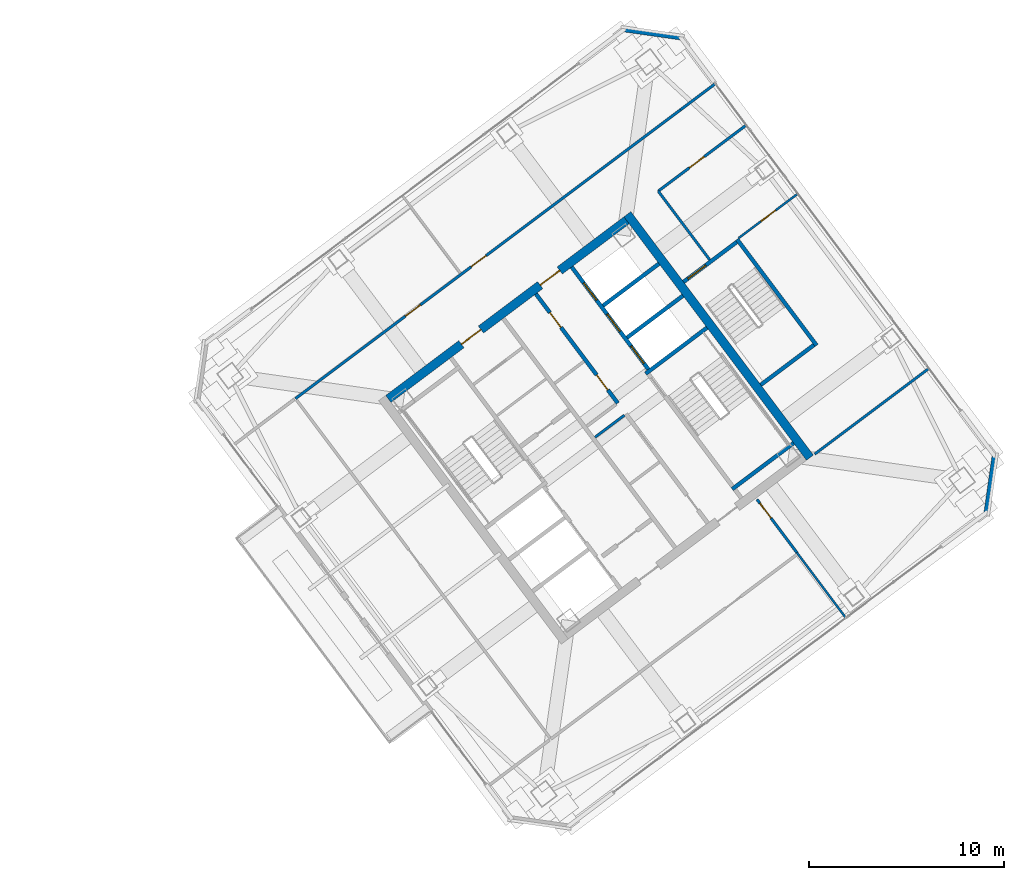
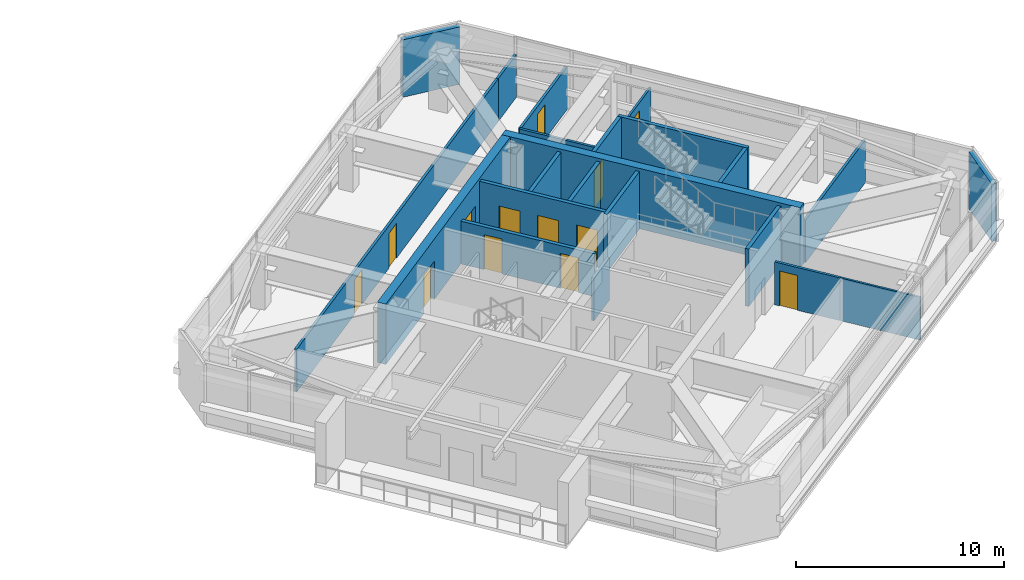
# One storey, part 33 of 40: 22 walls, 13 doors, 13 openings.
"""IFC4 building model written with IfcOpenShell, lengths in metres."""

from ifc_helpers import new_model, si_unit, direction, frame, frame_2d, origin, place, context, subcontext, project, spatial, rectangle, extrude, material, layer, layer_set, type_object, element, fill, save


model = new_model("IFC4")

# Units and contexts
model_context = context("Model", 3, precision=1e-05, world=origin(), true_north=direction((0.0, 1.0)))
body_context = subcontext(model_context, "Body", "Model", "MODEL_VIEW")
ifc_project = project(units=[si_unit("LENGTHUNIT", "METRE"), si_unit("AREAUNIT", "SQUARE_METRE"), si_unit("VOLUMEUNIT", "CUBIC_METRE"), si_unit("PLANEANGLEUNIT", "RADIAN"), si_unit("MASSUNIT", "GRAM", prefix="KILO")], contexts=[model_context])

# Site, building, storey
site_placement = place(None, origin())
site = spatial("IfcSite", under=ifc_project, at=site_placement, CompositionType="ELEMENT")
building_placement = place(site_placement, origin())
building = spatial("IfcBuilding", under=site, at=building_placement, Name="Tashvorn Skyway Center", CompositionType="ELEMENT")
storey_placement = place(building_placement, frame((0.0, 0.0, 229.050048828125)))
storey = spatial("IfcBuildingStorey", under=building, at=storey_placement, Name="L62", CompositionType="ELEMENT", Elevation=229.050048828125)

# Wall
ifc_material_1 = material(Name="Concrete C50/60", Category="concrete")
ifc_layer_1 = layer(ifc_material_1, 0.449951171875)
ifc_layer_set_1 = layer_set([ifc_layer_1], Name="Concrete C50/60")
wall_type_1 = type_object("IfcWallType", Name="WALL-CORE-450", PredefinedType="SHEAR", material=ifc_layer_set_1)
wall_1_placement = place(storey_placement, frame((115.60400390625, 42.952880859375, 0.0), z_axis=(0.0, 0.0, 1.0), x_axis=(0.600005007985, -0.799996243986, 0.0)))
element("IfcWall", 1, at=wall_1_placement, inside=storey, type_object=wall_type_1, Name="Tower 2 L62 East Core Shear Wall", PredefinedType="SHEAR", context=body_context, shape_type="SweptSolid", body=[
    extrude(rectangle(XDim=15.60009765625, YDim=0.449951171875, at=frame_2d((7.800048828125, 0.0))), origin(), (0.0, 0.0, 1.0), 3.550048828125),
])

# Wall, openings, doors
wall_2_placement = place(storey_placement, frame((103.35107421875, 33.48193359375, 0.0), z_axis=(0.0, 0.0, 1.0), x_axis=(0.8, 0.6, 0.0)))
wall_2 = element("IfcWall", 2, at=wall_2_placement, inside=storey, type_object=wall_type_1, Name="Tower 2 L62 North Core Shear Wall", PredefinedType="SHEAR", context=body_context, shape_type="SweptSolid", body=[
    extrude(rectangle(XDim=15.260009765625, YDim=0.449951171875, at=frame_2d((7.6298828125, 0.0))), origin(), (0.0, 0.0, 1.0), 3.550048828125),
])
opening_1_placement = place(wall_2_placement, frame((4.679931640625, 0.0, 0.0)))
opening_1 = element("IfcOpeningElement", 3, at=opening_1_placement, cuts=wall_2, Name="Opening D-FFL-1250", PredefinedType="OPENING", context=body_context, shape_type="SweptSolid", body=[
    extrude(rectangle(XDim=1.25, YDim=2.25, at=frame_2d((0.625, 1.125))), frame((0.0, 0.23486328125, 0.0), z_axis=(0.0, -1.0, 0.0), x_axis=(1.0, 0.0, 0.0)), (0.0, 0.0, 1.0), 0.469970703125),
])
opening_2_placement = place(wall_2_placement, frame((9.72998046875, 0.0, 0.0)))
opening_2 = element("IfcOpeningElement", 4, at=opening_2_placement, cuts=wall_2, Name="Opening D-FFL-1250", PredefinedType="OPENING", context=body_context, shape_type="SweptSolid", body=[
    extrude(rectangle(XDim=1.25, YDim=2.25, at=frame_2d((0.625, 1.125))), frame((0.0, 0.23486328125, 0.0), z_axis=(0.0, -1.0, 0.0), x_axis=(1.0, 0.0, 0.0)), (0.0, 0.0, 1.0), 0.469970703125),
])
ifc_material_2 = material(Name="Hollow galvanized steel fire door assembly", Category="steel")
door_type_1 = type_object("IfcDoorType", Name="DOOR-FFL-1250", OperationType="NOTDEFINED", PredefinedType="DOOR", material=ifc_material_2)
door_1_placement = place(opening_1_placement, origin())
door_1 = element("IfcDoor", 5, at=door_1_placement, inside=storey, type_object=door_type_1, Name="Tower 2 L62 Core North Service Lobby Door", OperationType="SINGLE_SWING_LEFT", OverallHeight=2.25, OverallWidth=1.25, PredefinedType="DOOR", context=body_context, shape_type="SweptSolid", body=[
    extrude(rectangle(XDim=1.25, YDim=2.25, at=frame_2d((0.625, 1.125))), frame((0.0, 0.02490234375, 0.0), z_axis=(0.0, -1.0, 0.0), x_axis=(1.0, 0.0, 0.0)), (0.0, 0.0, 1.0), 0.050048828125),
])
fill(opening_1, door_1)
door_2_placement = place(opening_2_placement, origin())
door_2 = element("IfcDoor", 6, at=door_2_placement, inside=storey, type_object=door_type_1, Name="Tower 2 L62 Core North Lift Lobby Door", OperationType="SINGLE_SWING_RIGHT", OverallHeight=2.25, OverallWidth=1.25, PredefinedType="DOOR", context=body_context, shape_type="SweptSolid", body=[
    extrude(rectangle(XDim=1.25, YDim=2.25, at=frame_2d((0.625, 1.125))), frame((0.0, 0.02490234375, 0.0), z_axis=(0.0, -1.0, 0.0), x_axis=(1.0, 0.0, 0.0)), (0.0, 0.0, 1.0), 0.050048828125),
])
fill(opening_2, door_2)

# Walls
ifc_material_3 = material(Name="Precast concrete C40/50", Category="concrete")
ifc_layer_2 = layer(ifc_material_3, 0.280029296875)
ifc_layer_set_2 = layer_set([ifc_layer_2], Name="Precast concrete C40/50")
wall_type_2 = type_object("IfcWallType", Name="WALL-EXT-280", PredefinedType="SOLIDWALL", material=ifc_layer_set_2)
for number, where, z_axis, x_axis, name in (
    (7, (115.419921875, 52.43994140625, 0.0), (0.0, 0.0, 1.0), (0.989954425158, -0.14138683146, 0.0), "Tower 2 L62 NE Precast Chamfer Wall"),
    (8, (134.43994140625, 30.580078125, 0.0), (0.0, 0.0, 1.0), (-0.14138683146, -0.989954425158, 0.0), "Tower 2 L62 SE Precast Chamfer Wall"),
):
    element("IfcWall", number, at=place(storey_placement, frame(where, z_axis=z_axis, x_axis=x_axis)), inside=storey, type_object=wall_type_2, Name=name, PredefinedType="SOLIDWALL", context=body_context, shape_type="SweptSolid", body=[
        extrude(rectangle(XDim=2.969970703125, YDim=0.280029296875, at=frame_2d((1.48486328125, 0.0))), origin(), (0.0, 0.0, 1.0), 3.369873046875),
    ])
ifc_material_4 = material(Name="Gypsum board on cold-formed steel stud framing", Category="steel")
ifc_layer_3 = layer(ifc_material_4, 0.110107421875)
ifc_layer_set_3 = layer_set([ifc_layer_3], Name="Gypsum board on cold-formed steel stud framing")
wall_type_3 = type_object("IfcWallType", Name="WALL-PART-110", PredefinedType="PARTITIONING", material=ifc_layer_set_3)
wall_3_placement = place(storey_placement, frame((126.80810546875, 22.256103515625, 0.0), z_axis=(0.0, 0.0, 1.0), x_axis=(-0.600046613595, 0.799965037682, 0.0)))
element("IfcWall", 9, at=wall_3_placement, inside=storey, type_object=wall_type_3, Name="Tower 2 L62 South-East Suite Wall", PredefinedType="PARTITIONING", context=body_context, shape_type="SweptSolid", body=[
    extrude(rectangle(XDim=4.18994140625, YDim=0.110107421875, at=frame_2d((2.094970703125, 0.0))), origin(), (0.0, 0.0, 1.0), 2.512939453125),
])

# Wall, opening, door
wall_4_placement = place(storey_placement, frame((124.343994140625, 44.008056640625, 0.0), z_axis=(0.0, 0.0, 1.0), x_axis=(-0.8, -0.6, 0.0)))
wall_4 = element("IfcWall", 10, at=wall_4_placement, inside=storey, type_object=wall_type_3, Name="Tower 2 L62 East Suite Partition 1", PredefinedType="PARTITIONING", context=body_context, shape_type="SweptSolid", body=[
    extrude(rectangle(XDim=3.800048828125, YDim=0.110107421875, at=frame_2d((1.89990234375, 0.0))), origin(), (0.0, 0.0, 1.0), 2.512939453125),
])
opening_3_placement = place(wall_4_placement, frame((1.425048828125, 0.0, 0.0)))
opening_3 = element("IfcOpeningElement", 11, at=opening_3_placement, cuts=wall_4, Name="Opening D-INT-950", PredefinedType="OPENING", context=body_context, shape_type="SweptSolid", body=[
    extrude(rectangle(XDim=0.949951171875, YDim=2.050048828125, at=frame_2d((0.47509765625, 1.02490234375))), frame((0.0, 0.06494140625, 0.0), z_axis=(0.0, -1.0, 0.0), x_axis=(1.0, 0.0, 0.0)), (0.0, 0.0, 1.0), 0.130126953125),
])
ifc_material_5 = material(Name="Solid-core architectural oak veneer door")
door_type_2 = type_object("IfcDoorType", Name="DOOR-INT-950", OperationType="NOTDEFINED", PredefinedType="DOOR", material=ifc_material_5)
door_3_placement = place(opening_3_placement, origin())
door_3 = element("IfcDoor", 12, at=door_3_placement, inside=storey, type_object=door_type_2, Name="Tower 2 L62 Collaborative Studio Door", OperationType="SINGLE_SWING_LEFT", OverallHeight=2.050048828125, OverallWidth=0.949951171875, PredefinedType="DOOR", context=body_context, shape_type="SweptSolid", body=[
    extrude(rectangle(XDim=0.949951171875, YDim=2.050048828125, at=frame_2d((0.47509765625, 1.02490234375))), frame((0.0, 0.02490234375, 0.0), z_axis=(0.0, -1.0, 0.0), x_axis=(1.0, 0.0, 0.0)), (0.0, 0.0, 1.0), 0.050048828125),
])
fill(opening_3, door_3)

# Wall
ifc_layer_4 = layer(ifc_material_4, 0.135009765625)
ifc_layer_set_4 = layer_set([ifc_layer_4], Name="Gypsum board on cold-formed steel stud framing")
wall_type_4 = type_object("IfcWallType", Name="WALL-PART-135", PredefinedType="PARTITIONING", material=ifc_layer_set_4)
wall_5_placement = place(storey_placement, frame((119.823974609375, 40.617919921875, 0.0), z_axis=(0.0, 0.0, 1.0), x_axis=(-0.599982243973, 0.800013316712, 0.0)))
element("IfcWall", 13, at=wall_5_placement, inside=storey, type_object=wall_type_4, Name="Tower 2 L62 Stair 3 Access Corridor Wall", PredefinedType="PARTITIONING", context=body_context, shape_type="SweptSolid", body=[
    extrude(rectangle(XDim=4.39990234375, YDim=0.135009765625, at=frame_2d((2.199951171875, 0.0))), origin(), (0.0, 0.0, 1.0), 2.512939453125),
])

# Wall, openings, doors
wall_6_placement = place(storey_placement, frame((98.5859375, 33.501953125, 0.0), z_axis=(0.0, 0.0, 1.0), x_axis=(0.8, 0.6, 0.0)))
wall_6 = element("IfcWall", 14, at=wall_6_placement, inside=storey, type_object=wall_type_4, Name="Tower 2 L62 North Suite Wall", PredefinedType="PARTITIONING", context=body_context, shape_type="SweptSolid", body=[
    extrude(rectangle(XDim=24.68017578125, YDim=0.135009765625, at=frame_2d((12.340087890625, 0.0))), origin(), (0.0, 0.0, 1.0), 2.512939453125),
])
opening_4_placement = place(wall_6_placement, frame((7.050048828125, 0.0, 0.0)))
opening_4 = element("IfcOpeningElement", 15, at=opening_4_placement, cuts=wall_6, Name="Opening D-INT-950", PredefinedType="OPENING", context=body_context, shape_type="SweptSolid", body=[
    extrude(rectangle(XDim=0.949951171875, YDim=2.050048828125, at=frame_2d((0.47509765625, 1.02490234375))), frame((0.0, 0.077392578125, 0.0), z_axis=(0.0, -1.0, 0.0), x_axis=(1.0, 0.0, 0.0)), (0.0, 0.0, 1.0), 0.155029296875),
])
opening_5_placement = place(wall_6_placement, frame((11.263427734375, 0.0, 0.0)))
opening_5 = element("IfcOpeningElement", 16, at=opening_5_placement, cuts=wall_6, Name="Opening D-INT-950", PredefinedType="OPENING", context=body_context, shape_type="SweptSolid", body=[
    extrude(rectangle(XDim=0.949951171875, YDim=2.050048828125, at=frame_2d((0.47509765625, 1.02490234375))), frame((0.0, 0.077392578125, 0.0), z_axis=(0.0, -1.0, 0.0), x_axis=(1.0, 0.0, 0.0)), (0.0, 0.0, 1.0), 0.155029296875),
])
door_4_placement = place(opening_4_placement, origin())
door_4 = element("IfcDoor", 17, at=door_4_placement, inside=storey, type_object=door_type_2, Name="Tower 2 L62 Gallery Showroom Door", OperationType="SINGLE_SWING_RIGHT", OverallHeight=2.050048828125, OverallWidth=0.949951171875, PredefinedType="DOOR", context=body_context, shape_type="SweptSolid", body=[
    extrude(rectangle(XDim=0.949951171875, YDim=2.050048828125, at=frame_2d((0.47509765625, 1.02490234375))), frame((0.0, 0.02490234375, 0.0), z_axis=(0.0, -1.0, 0.0), x_axis=(1.0, 0.0, 0.0)), (0.0, 0.0, 1.0), 0.050048828125),
])
fill(opening_4, door_4)
door_5_placement = place(opening_5_placement, origin())
door_5 = element("IfcDoor", 18, at=door_5_placement, inside=storey, type_object=door_type_2, Name="Tower 2 L62 Gallery Showroom Door", OperationType="SINGLE_SWING_LEFT", OverallHeight=2.050048828125, OverallWidth=0.949951171875, PredefinedType="DOOR", context=body_context, shape_type="SweptSolid", body=[
    extrude(rectangle(XDim=0.949951171875, YDim=2.050048828125, at=frame_2d((0.47509765625, 1.02490234375))), frame((0.0, 0.02490234375, 0.0), z_axis=(0.0, -1.0, 0.0), x_axis=(1.0, 0.0, 0.0)), (0.0, 0.0, 1.0), 0.050048828125),
])
fill(opening_5, door_5)

# Wall
wall_7_placement = place(storey_placement, frame((118.330078125, 48.31005859375, 0.0), z_axis=(0.0, 0.0, 1.0), x_axis=(0.800013138111, 0.599982482119, 0.0)))
element("IfcWall", 19, at=wall_7_placement, inside=storey, type_object=wall_type_4, Name="Tower 2 L62 North-East Suite South Wall", PredefinedType="PARTITIONING", context=body_context, shape_type="SweptSolid", body=[
    extrude(rectangle(XDim=2.22998046875, YDim=0.135009765625, at=frame_2d((1.114990234375, 0.0))), origin(), (0.0, 0.0, 1.0), 2.512939453125),
])

# Wall, opening, door
wall_8_placement = place(storey_placement, frame((122.248046875, 28.3359375, 0.0), z_axis=(0.0, 0.0, 1.0), x_axis=(0.599977088934, -0.800017182787, 0.0)))
wall_8 = element("IfcWall", 20, at=wall_8_placement, inside=storey, type_object=wall_type_4, Name="Tower 2 L62 South Gallery End Wall", PredefinedType="PARTITIONING", context=body_context, shape_type="SweptSolid", body=[
    extrude(rectangle(XDim=3.409912109375, YDim=0.135009765625, at=frame_2d((1.705078125, 0.0))), origin(), (0.0, 0.0, 1.0), 2.512939453125),
])
opening_6_placement = place(wall_8_placement, frame((0.25, 0.0, 0.0)))
opening_6 = element("IfcOpeningElement", 21, at=opening_6_placement, cuts=wall_8, Name="Opening D-INT-950", PredefinedType="OPENING", context=body_context, shape_type="SweptSolid", body=[
    extrude(rectangle(XDim=0.949951171875, YDim=2.050048828125, at=frame_2d((0.47509765625, 1.02490234375))), frame((0.0, 0.077392578125, 0.0), z_axis=(0.0, -1.0, 0.0), x_axis=(1.0, 0.0, 0.0)), (0.0, 0.0, 1.0), 0.155029296875),
])
door_6_placement = place(opening_6_placement, origin())
door_6 = element("IfcDoor", 22, at=door_6_placement, inside=storey, type_object=door_type_2, Name="Tower 2 L62 Conference Room Door", OperationType="SINGLE_SWING_LEFT", OverallHeight=2.050048828125, OverallWidth=0.949951171875, PredefinedType="DOOR", context=body_context, shape_type="SweptSolid", body=[
    extrude(rectangle(XDim=0.949951171875, YDim=2.050048828125, at=frame_2d((0.47509765625, 1.02490234375))), frame((0.0, 0.02490234375, 0.0), z_axis=(0.0, -1.0, 0.0), x_axis=(1.0, 0.0, 0.0)), (0.0, 0.0, 1.0), 0.050048828125),
])
fill(opening_6, door_6)

wall_9_placement = place(storey_placement, frame((121.7041015625, 47.528076171875, 0.0), z_axis=(0.0, 0.0, 1.0), x_axis=(-0.799989629485, -0.600013827105, 0.0)))
wall_9 = element("IfcWall", 23, at=wall_9_placement, inside=storey, type_object=wall_type_4, Name="Tower 2 L62 East Suite North Wall", PredefinedType="PARTITIONING", context=body_context, shape_type="SweptSolid", body=[
    extrude(rectangle(XDim=5.650146484375, YDim=0.135009765625, at=frame_2d((2.8251953125, 0.0))), origin(), (0.0, 0.0, 1.0), 2.512939453125),
])
opening_7_placement = place(wall_9_placement, frame((2.699951171875, 0.0, 0.0)))
opening_7 = element("IfcOpeningElement", 24, at=opening_7_placement, cuts=wall_9, Name="Opening D-INT-950", PredefinedType="OPENING", context=body_context, shape_type="SweptSolid", body=[
    extrude(rectangle(XDim=0.949951171875, YDim=2.050048828125, at=frame_2d((0.47509765625, 1.02490234375))), frame((0.0, 0.077392578125, 0.0), z_axis=(0.0, -1.0, 0.0), x_axis=(1.0, 0.0, 0.0)), (0.0, 0.0, 1.0), 0.155029296875),
])
door_7_placement = place(opening_7_placement, origin())
door_7 = element("IfcDoor", 25, at=door_7_placement, inside=storey, type_object=door_type_2, Name="Tower 2 L62 Conference Room Door", OperationType="SINGLE_SWING_RIGHT", OverallHeight=2.050048828125, OverallWidth=0.949951171875, PredefinedType="DOOR", context=body_context, shape_type="SweptSolid", body=[
    extrude(rectangle(XDim=0.949951171875, YDim=2.050048828125, at=frame_2d((0.47509765625, 1.02490234375))), frame((0.0, 0.02490234375, 0.0), z_axis=(0.0, -1.0, 0.0), x_axis=(1.0, 0.0, 0.0)), (0.0, 0.0, 1.0), 0.050048828125),
])
fill(opening_7, door_7)

# Walls
wall_10_placement = place(storey_placement, frame((125.2080078125, 30.656005859375, 0.0), z_axis=(0.0, 0.0, 1.0), x_axis=(0.79999199534, 0.600010672732, 0.0)))
element("IfcWall", 26, at=wall_10_placement, inside=storey, type_object=wall_type_4, Name="Tower 2 L62 East Suite South Wall", PredefinedType="PARTITIONING", context=body_context, shape_type="SweptSolid", body=[
    extrude(rectangle(XDim=7.320068359375, YDim=0.135009765625, at=frame_2d((3.66015625, 0.0))), origin(), (0.0, 0.0, 1.0), 2.512939453125),
])
ifc_layer_5 = layer(ifc_material_4, 0.135009765625)
ifc_layer_set_5 = layer_set([ifc_layer_5], Name="Gypsum board on cold-formed steel stud framing")
wall_type_5 = type_object("IfcWallType", Name="WALL-RATED-135", PredefinedType="PARTITIONING", material=ifc_layer_set_5)
wall_11_placement = place(storey_placement, frame((113.946044921875, 31.52197265625, 0.0), z_axis=(0.0, 0.0, 1.0), x_axis=(0.8, 0.6, 0.0)))
element("IfcWall", 27, at=wall_11_placement, inside=storey, type_object=wall_type_5, Name="Tower 2 L62 Core Room Partition", PredefinedType="PARTITIONING", context=body_context, shape_type="SweptSolid", body=[
    extrude(rectangle(XDim=1.8798828125, YDim=0.135009765625, at=frame_2d((0.93994140625, 0.0))), origin(), (0.0, 0.0, 1.0), 2.512939453125),
])
ifc_material_6 = material(Name="Concrete C40/50", Category="concrete")
ifc_layer_6 = layer(ifc_material_6, 0.199951171875)
ifc_layer_set_6 = layer_set([ifc_layer_6], Name="Concrete C40/50")
wall_type_6 = type_object("IfcWallType", Name="WALL-SHAFT-200", PredefinedType="SOLIDWALL", material=ifc_layer_set_6)
for number, where, z_axis, x_axis, name in (
    (28, (115.590087890625, 36.6298828125, 0.0), (0.0, 0.0, 1.0), (0.799975449747, 0.600032732276, 0.0), "Tower 2 L62 High-Rise Shaft Divider"),
    (29, (114.360107421875, 38.27001953125, 0.0), (0.0, 0.0, 1.0), (0.800008183455, 0.599989088572, 0.0), "Tower 2 L62 High-Rise Shaft Divider"),
):
    element("IfcWall", number, at=place(storey_placement, frame(where, z_axis=z_axis, x_axis=x_axis)), inside=storey, type_object=wall_type_6, Name=name, PredefinedType="SOLIDWALL", context=body_context, shape_type="SweptSolid", body=[
        extrude(rectangle(XDim=3.580078125, YDim=0.199951171875, at=frame_2d((1.7900390625, 0.0))), origin(), (0.0, 0.0, 1.0), 3.369873046875),
    ])

# Wall, openings, doors
wall_12_placement = place(storey_placement, frame((115.110107421875, 33.27001953125, 0.0), z_axis=(0.0, 0.0, 1.0), x_axis=(-0.600011160345, 0.79999162962, 0.0)))
wall_12 = element("IfcWall", 30, at=wall_12_placement, inside=storey, type_object=wall_type_6, Name="Tower 2 L62 Mid-Rise Core Wall", PredefinedType="SOLIDWALL", context=body_context, shape_type="SweptSolid", body=[
    extrude(rectangle(XDim=7.000244140625, YDim=0.199951171875, at=frame_2d((3.5, 0.0))), origin(), (0.0, 0.0, 1.0), 2.512939453125),
])
opening_8_placement = place(wall_12_placement, frame((0.85009765625, 0.0, 0.0)))
opening_8 = element("IfcOpeningElement", 31, at=opening_8_placement, cuts=wall_12, Name="Opening D-RT-950", PredefinedType="OPENING", context=body_context, shape_type="SweptSolid", body=[
    extrude(rectangle(XDim=0.949951171875, YDim=2.050048828125, at=frame_2d((0.47509765625, 1.02490234375))), frame((0.0, 0.10986328125, 0.0), z_axis=(0.0, -1.0, 0.0), x_axis=(1.0, 0.0, 0.0)), (0.0, 0.0, 1.0), 0.219970703125),
])
opening_9_placement = place(wall_12_placement, frame((4.85009765625, 0.0, 0.0)))
opening_9 = element("IfcOpeningElement", 32, at=opening_9_placement, cuts=wall_12, Name="Opening D-RT-950", PredefinedType="OPENING", context=body_context, shape_type="SweptSolid", body=[
    extrude(rectangle(XDim=0.949951171875, YDim=2.050048828125, at=frame_2d((0.47509765625, 1.02490234375))), frame((0.0, 0.10986328125, 0.0), z_axis=(0.0, -1.0, 0.0), x_axis=(1.0, 0.0, 0.0)), (0.0, 0.0, 1.0), 0.219970703125),
])
door_type_3 = type_object("IfcDoorType", Name="DOOR-RATED-950", OperationType="NOTDEFINED", PredefinedType="DOOR", material=ifc_material_2)
door_8_placement = place(opening_8_placement, origin())
door_8 = element("IfcDoor", 33, at=door_8_placement, inside=storey, type_object=door_type_3, Name="Tower 2 L62 Core IT Room Door", OperationType="SINGLE_SWING_RIGHT", OverallHeight=2.050048828125, OverallWidth=0.949951171875, PredefinedType="DOOR", context=body_context, shape_type="SweptSolid", body=[
    extrude(rectangle(XDim=0.949951171875, YDim=2.050048828125, at=frame_2d((0.47509765625, 1.02490234375))), frame((0.0, 0.02490234375, 0.0), z_axis=(0.0, -1.0, 0.0), x_axis=(1.0, 0.0, 0.0)), (0.0, 0.0, 1.0), 0.050048828125),
])
fill(opening_8, door_8)
door_9_placement = place(opening_9_placement, origin())
door_9 = element("IfcDoor", 34, at=door_9_placement, inside=storey, type_object=door_type_3, Name="Tower 2 L62 Core Catering Pantry Door", OperationType="SINGLE_SWING_LEFT", OverallHeight=2.050048828125, OverallWidth=0.949951171875, PredefinedType="DOOR", context=body_context, shape_type="SweptSolid", body=[
    extrude(rectangle(XDim=0.949951171875, YDim=2.050048828125, at=frame_2d((0.47509765625, 1.02490234375))), frame((0.0, 0.02490234375, 0.0), z_axis=(0.0, -1.0, 0.0), x_axis=(1.0, 0.0, 0.0)), (0.0, 0.0, 1.0), 0.050048828125),
])
fill(opening_9, door_9)

# Walls
ifc_layer_7 = layer(ifc_material_6, 0.199951171875)
ifc_layer_set_7 = layer_set([ifc_layer_7], Name="Concrete C40/50")
wall_type_7 = type_object("IfcWallType", Name="WALL-STSHF-200", PredefinedType="SHEAR", material=ifc_layer_set_7)
for number, where, z_axis, x_axis, name in (
    (35, (116.5400390625, 34.780029296875, 0.0), (0.0, 0.0, 1.0), (0.800014909178, 0.599980120581, 0.0), "Tower 2 L62 Stair 2 North Wall"),
    (36, (120.97998046875, 28.860107421875, 0.0), (0.0, 0.0, 1.0), (0.800014909178, 0.599980120581, 0.0), "Tower 2 L62 Stair 2 South Wall"),
):
    element("IfcWall", number, at=place(storey_placement, frame(where, z_axis=z_axis, x_axis=x_axis)), inside=storey, type_object=wall_type_7, Name=name, PredefinedType="SHEAR", context=body_context, shape_type="SweptSolid", body=[
        extrude(rectangle(XDim=3.929931640625, YDim=0.199951171875, at=frame_2d((1.96484375, 0.0))), origin(), (0.0, 0.0, 1.0), 3.369873046875),
    ])

# Wall, openings, doors
wall_13_placement = place(storey_placement, frame((112.75, 40.25, 0.0), z_axis=(0.0, 0.0, 1.0), x_axis=(0.599994036198, -0.800004472816, 0.0)))
wall_13 = element("IfcWall", 37, at=wall_13_placement, inside=storey, type_object=wall_type_7, Name="Tower 2 L62 High-Rise Lift Shaft Front Wall", PredefinedType="SHEAR", context=body_context, shape_type="SweptSolid", body=[
    extrude(rectangle(XDim=6.550048828125, YDim=0.199951171875, at=frame_2d((3.27490234375, 0.0))), origin(), (0.0, 0.0, 1.0), 3.369873046875),
])
opening_10_placement = place(wall_13_placement, frame((5.074951171875, 0.0, 0.0)))
opening_10 = element("IfcOpeningElement", 38, at=opening_10_placement, cuts=wall_13, Name="Opening LD-HR-T2-1-L62", PredefinedType="OPENING", context=body_context, shape_type="SweptSolid", body=[
    extrude(rectangle(XDim=1.10009765625, YDim=2.199951171875, at=frame_2d((0.550048828125, 1.10009765625))), frame((0.0, 0.10986328125, 0.0), z_axis=(0.0, -1.0, 0.0), x_axis=(1.0, 0.0, 0.0)), (0.0, 0.0, 1.0), 0.219970703125),
])
opening_11_placement = place(wall_13_placement, frame((3.02490234375, 0.0, 0.0)))
opening_11 = element("IfcOpeningElement", 39, at=opening_11_placement, cuts=wall_13, Name="Opening LD-HR-T2-2-L62", PredefinedType="OPENING", context=body_context, shape_type="SweptSolid", body=[
    extrude(rectangle(XDim=1.10009765625, YDim=2.199951171875, at=frame_2d((0.550048828125, 1.10009765625))), frame((0.0, 0.10986328125, 0.0), z_axis=(0.0, -1.0, 0.0), x_axis=(1.0, 0.0, 0.0)), (0.0, 0.0, 1.0), 0.219970703125),
])
opening_12_placement = place(wall_13_placement, frame((1.02490234375, 0.0, 0.0)))
opening_12 = element("IfcOpeningElement", 40, at=opening_12_placement, cuts=wall_13, Name="Opening LD-HR-T2-3-L62", PredefinedType="OPENING", context=body_context, shape_type="SweptSolid", body=[
    extrude(rectangle(XDim=1.10009765625, YDim=2.199951171875, at=frame_2d((0.550048828125, 1.10009765625))), frame((0.0, 0.10986328125, 0.0), z_axis=(0.0, -1.0, 0.0), x_axis=(1.0, 0.0, 0.0)), (0.0, 0.0, 1.0), 0.219970703125),
])
ifc_material_7 = material(Name="Stainless steel landing door", Category="steel")
door_type_4 = type_object("IfcDoorType", Name="DOOR-LIFT-1100", OperationType="SLIDING_TO_LEFT", PredefinedType="DOOR", material=ifc_material_7)
door_10_placement = place(opening_10_placement, origin())
door_10 = element("IfcDoor", 41, at=door_10_placement, inside=storey, type_object=door_type_4, Name="Lift HR-T2-1 L62 Landing Door", OperationType="SLIDING_TO_LEFT", OverallHeight=2.199951171875, OverallWidth=1.10009765625, PredefinedType="DOOR", context=body_context, shape_type="SweptSolid", body=[
    extrude(rectangle(XDim=1.10009765625, YDim=2.199951171875, at=frame_2d((0.550048828125, 1.10009765625))), frame((0.0, 0.02490234375, 0.0), z_axis=(0.0, -1.0, 0.0), x_axis=(1.0, 0.0, 0.0)), (0.0, 0.0, 1.0), 0.050048828125),
])
fill(opening_10, door_10)
door_11_placement = place(opening_11_placement, origin())
door_11 = element("IfcDoor", 42, at=door_11_placement, inside=storey, type_object=door_type_4, Name="Lift HR-T2-2 L62 Landing Door", OperationType="SLIDING_TO_LEFT", OverallHeight=2.199951171875, OverallWidth=1.10009765625, PredefinedType="DOOR", context=body_context, shape_type="SweptSolid", body=[
    extrude(rectangle(XDim=1.10009765625, YDim=2.199951171875, at=frame_2d((0.550048828125, 1.10009765625))), frame((0.0, 0.02490234375, 0.0), z_axis=(0.0, -1.0, 0.0), x_axis=(1.0, 0.0, 0.0)), (0.0, 0.0, 1.0), 0.050048828125),
])
fill(opening_11, door_11)
door_12_placement = place(opening_12_placement, origin())
door_12 = element("IfcDoor", 43, at=door_12_placement, inside=storey, type_object=door_type_4, Name="Lift HR-T2-3 L62 Landing Door", OperationType="SLIDING_TO_LEFT", OverallHeight=2.199951171875, OverallWidth=1.10009765625, PredefinedType="DOOR", context=body_context, shape_type="SweptSolid", body=[
    extrude(rectangle(XDim=1.10009765625, YDim=2.199951171875, at=frame_2d((0.550048828125, 1.10009765625))), frame((0.0, 0.02490234375, 0.0), z_axis=(0.0, -1.0, 0.0), x_axis=(1.0, 0.0, 0.0)), (0.0, 0.0, 1.0), 0.050048828125),
])
fill(opening_12, door_12)

# Wall
wall_14_placement = place(storey_placement, frame((125.303955078125, 36.22802734375, 0.0), z_axis=(0.0, 0.0, 1.0), x_axis=(-0.59998851072, 0.800008616831, 0.0)))
element("IfcWall", 44, at=wall_14_placement, inside=storey, type_object=wall_type_7, Name="Tower 2 L62 Stair 3 Outer Wall", PredefinedType="SHEAR", context=body_context, shape_type="SweptSolid", body=[
    extrude(rectangle(XDim=6.7998046875, YDim=0.199951171875, at=frame_2d((3.39990234375, 0.0))), origin(), (0.0, 0.0, 1.0), 3.369873046875),
])

# Wall, opening, door
wall_15_placement = place(storey_placement, frame((121.2041015625, 41.528076171875, 0.0), z_axis=(0.0, 0.0, 1.0), x_axis=(-0.800017232136, -0.599977023131, 0.0)))
wall_15 = element("IfcWall", 45, at=wall_15_placement, inside=storey, type_object=wall_type_7, Name="Tower 2 L62 Stair 3 Enclosure Wall", PredefinedType="SHEAR", context=body_context, shape_type="SweptSolid", body=[
    extrude(rectangle(XDim=3.400146484375, YDim=0.199951171875, at=frame_2d((1.7001953125, 0.0))), origin(), (0.0, 0.0, 1.0), 3.369873046875),
])
opening_13_placement = place(wall_15_placement, frame((1.97509765625, 0.0, 0.0)))
opening_13 = element("IfcOpeningElement", 46, at=opening_13_placement, cuts=wall_15, Name="Opening D-ST-1150", PredefinedType="OPENING", context=body_context, shape_type="SweptSolid", body=[
    extrude(rectangle(XDim=1.14990234375, YDim=2.199951171875, at=frame_2d((0.574951171875, 1.10009765625))), frame((0.0, 0.10986328125, 0.0), z_axis=(0.0, -1.0, 0.0), x_axis=(1.0, 0.0, 0.0)), (0.0, 0.0, 1.0), 0.219970703125),
])
door_type_5 = type_object("IfcDoorType", Name="DOOR-STAIR-1150", OperationType="NOTDEFINED", PredefinedType="DOOR", material=ifc_material_2)
door_13_placement = place(opening_13_placement, origin())
door_13 = element("IfcDoor", 47, at=door_13_placement, inside=storey, type_object=door_type_5, Name="Tower 2 L62 Exit Stair 3 Door", OperationType="SINGLE_SWING_RIGHT", OverallHeight=2.199951171875, OverallWidth=1.14990234375, PredefinedType="DOOR", context=body_context, shape_type="SweptSolid", body=[
    extrude(rectangle(XDim=1.14990234375, YDim=2.199951171875, at=frame_2d((0.574951171875, 1.10009765625))), frame((0.0, 0.02490234375, 0.0), z_axis=(0.0, -1.0, 0.0), x_axis=(1.0, 0.0, 0.0)), (0.0, 0.0, 1.0), 0.050048828125),
])
fill(opening_13, door_13)

# Wall
wall_16_placement = place(storey_placement, frame((122.444091796875, 34.2080078125, 0.0), z_axis=(0.0, 0.0, 1.0), x_axis=(0.79999138319, 0.600011488909, 0.0)))
element("IfcWall", 48, at=wall_16_placement, inside=storey, type_object=wall_type_7, Name="Tower 2 L62 Stair 3 South Wall", PredefinedType="SHEAR", context=body_context, shape_type="SweptSolid", body=[
    extrude(rectangle(XDim=3.39990234375, YDim=0.199951171875, at=frame_2d((1.699951171875, 0.0))), origin(), (0.0, 0.0, 1.0), 3.369873046875),
])

save(model, "model.ifc")
